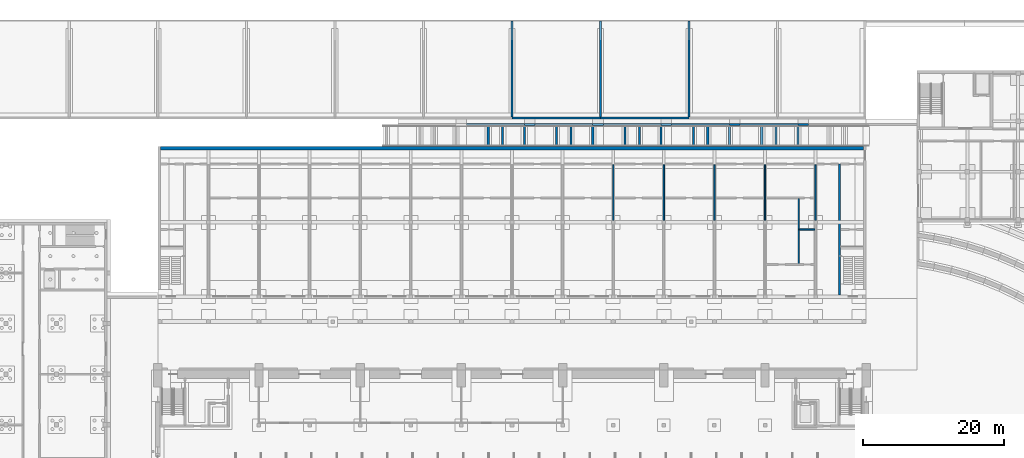
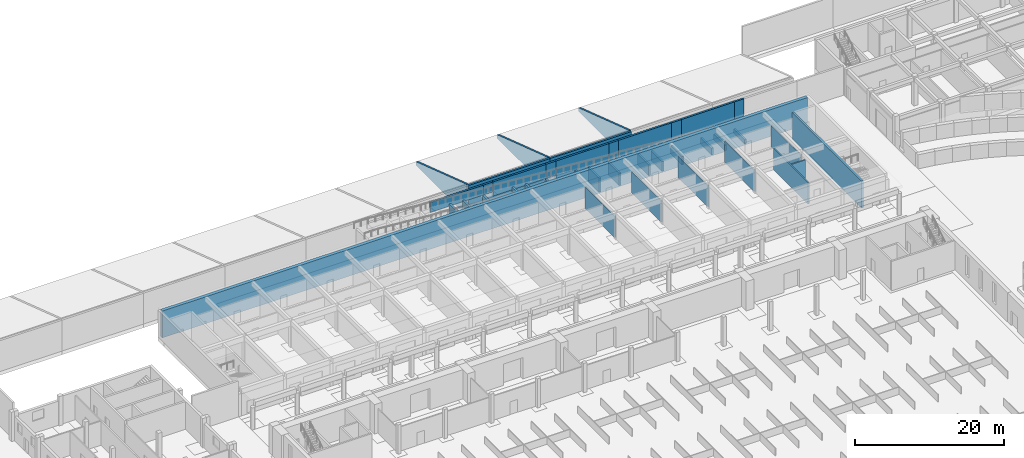
# One storey, part 56 of 73: 39 walls.
"""IFC4 building model written with IfcOpenShell, lengths in metres."""

from ifc_helpers import new_model, si_unit, direction, frame, frame_2d, origin, place, context, subcontext, project, spatial, polyline, rectangle, outline, extrude, material, layer, layer_set, type_object, element, save


model = new_model("IFC4")

# Units and contexts
model_context = context("Model", 3, precision=1e-05, world=origin(), true_north=direction((0.0, 1.0)))
body_context = subcontext(model_context, "Body", "Model", "MODEL_VIEW")
ifc_project = project(units=[si_unit("LENGTHUNIT", "METRE"), si_unit("AREAUNIT", "SQUARE_METRE"), si_unit("VOLUMEUNIT", "CUBIC_METRE"), si_unit("PLANEANGLEUNIT", "RADIAN"), si_unit("MASSUNIT", "GRAM", prefix="KILO")], contexts=[model_context])

# Site, building, storey
site_placement = place(None, origin())
site = spatial("IfcSite", under=ifc_project, at=site_placement, CompositionType="ELEMENT")
building_placement = place(site_placement, origin())
building = spatial("IfcBuilding", under=site, at=building_placement, Name="Alderwick Market Hall", CompositionType="ELEMENT")
storey_placement = place(building_placement, origin())
storey = spatial("IfcBuildingStorey", under=building, at=storey_placement, Name="LG", CompositionType="ELEMENT", Elevation=0.0)

# Walls
ifc_material_1 = material(Name="Concrete masonry 3000 psi", Category="masonry")
ifc_layer_1 = layer(ifc_material_1, 0.199951171875)
ifc_layer_set_1 = layer_set([ifc_layer_1], Name="Concrete masonry 3000 psi")
wall_type_1 = type_object("IfcWallType", Name="A Masonry Partition 200", PredefinedType="PARTITIONING", material=ifc_layer_set_1)
wall_1_placement = place(storey_placement, frame((141.699951171875, 128.60009765625, 0.0), z_axis=(0.0, 0.0, 1.0), x_axis=(1.0, 0.0, 0.0)))
element("IfcWall", 1, at=wall_1_placement, inside=storey, type_object=wall_type_1, Name="A.N.wall.016", PredefinedType="PARTITIONING", context=body_context, shape_type="SweptSolid", body=[
    extrude(rectangle(XDim=2.199951171875, YDim=0.199951171875, at=frame_2d((1.10009765625, 0.0))), origin(), (0.0, 0.0, 1.0), 3.5),
])
for number, where, z_axis, x_axis, name in (
    (2, (115.199951171875, 129.85009765625, 0.0), (0.0, 0.0, 1.0), (0.0, 1.0, 0.0), "A.N.wall.042"),
    (3, (122.39990234375, 129.85009765625, 0.0), (0.0, 0.0, 1.0), (0.0, 1.0, 0.0), "A.N.wall.044"),
    (4, (129.60009765625, 129.85009765625, 0.0), (0.0, 0.0, 1.0), (0.0, 1.0, 0.0), "A.N.wall.046"),
    (5, (136.800048828125, 129.85009765625, 0.0), (0.0, 0.0, 1.0), (0.0, 1.0, 0.0), "A.N.wall.048"),
):
    element("IfcWall", number, at=place(storey_placement, frame(where, z_axis=z_axis, x_axis=x_axis)), inside=storey, type_object=wall_type_1, Name=name, PredefinedType="PARTITIONING", context=body_context, shape_type="SweptSolid", body=[
        extrude(rectangle(XDim=7.949951171875, YDim=0.199951171875, at=frame_2d((3.97509765625, 0.0))), origin(), (0.0, 0.0, 1.0), 3.5),
    ])
wall_2_placement = place(storey_placement, frame((141.60009765625, 123.699951171875, 0.0), z_axis=(0.0, 0.0, 1.0), x_axis=(0.0, 1.0, 0.0)))
element("IfcWall", 6, at=wall_2_placement, inside=storey, type_object=wall_type_1, Name="A.N.wall.049", PredefinedType="PARTITIONING", context=body_context, shape_type="SweptSolid", body=[
    extrude(rectangle(XDim=9.300048828125, YDim=0.199951171875, at=frame_2d((4.64990234375, 0.0))), origin(), (0.0, 0.0, 1.0), 3.5),
])
wall_3_placement = place(storey_placement, frame((144.0, 129.85009765625, 0.0), z_axis=(0.0, 0.0, 1.0), x_axis=(0.0, 1.0, 0.0)))
element("IfcWall", 7, at=wall_3_placement, inside=storey, type_object=wall_type_1, Name="A.N.wall.051", PredefinedType="PARTITIONING", context=body_context, shape_type="SweptSolid", body=[
    extrude(rectangle(XDim=7.949951171875, YDim=0.199951171875, at=frame_2d((3.97509765625, 0.0))), origin(), (0.0, 0.0, 1.0), 3.5),
])
ifc_material_2 = material(Name="Concrete 5000 psi (f'c 35 MPa)", Category="concrete")
ifc_layer_2 = layer(ifc_material_2, 0.5)
ifc_layer_set_2 = layer_set([ifc_layer_2], Name="Concrete 5000 psi (f'c 35 MPa)")
wall_type_2 = type_object("IfcWallType", Name="A RC Retaining Wall 500", PredefinedType="SOLIDWALL", material=ifc_layer_set_2)
wall_4_placement = place(storey_placement, frame((50.800048828125, 140.14990234375, 0.0), z_axis=(0.0, 0.0, 1.0), x_axis=(1.0, 0.0, 0.0)))
element("IfcWall", 8, at=wall_4_placement, inside=storey, type_object=wall_type_2, Name="A.N.wall.022", PredefinedType="SOLIDWALL", context=body_context, shape_type="SweptSolid", body=[
    extrude(rectangle(XDim=100.0, YDim=0.5, at=frame_2d((50.0, 0.0))), origin(), (0.0, 0.0, 1.0), 4.39990234375),
])
ifc_layer_3 = layer(ifc_material_2, 0.300048828125)
ifc_layer_set_3 = layer_set([ifc_layer_3], Name="Concrete 5000 psi (f'c 35 MPa)")
wall_type_3 = type_object("IfcWallType", Name="A RC Stair Core Wall 300", PredefinedType="SHEAR", material=ifc_layer_set_3)
wall_5_placement = place(storey_placement, frame((147.39990234375, 119.300048828125, 0.0), z_axis=(0.0, 0.0, 1.0), x_axis=(0.0, 1.0, 0.0)))
element("IfcWall", 9, at=wall_5_placement, inside=storey, type_object=wall_type_3, Name="A.N.wall.052", PredefinedType="SHEAR", context=body_context, shape_type="SweptSolid", body=[
    extrude(rectangle(XDim=18.599853515625, YDim=0.300048828125, at=frame_2d((9.2998046875, 0.0))), origin(), (0.0, 0.0, 1.0), 4.39990234375),
])
ifc_layer_4 = layer(ifc_material_2, 0.300048828125)
ifc_layer_set_4 = layer_set([ifc_layer_4], Name="Concrete 5000 psi (f'c 35 MPa)")
wall_type_4 = type_object("IfcWallType", Name="S Retaining Wall 300", PredefinedType="SOLIDWALL", material=ifc_layer_set_4)
wall_6_placement = place(storey_placement, frame((142.970947265625, 143.550048828125, 0.435791015625), z_axis=(0.0, 0.0, 1.0), x_axis=(-1.0, 0.0, 0.0)))
element("IfcWall", 10, at=wall_6_placement, inside=storey, type_object=wall_type_4, Name="Trench wall N.03", PredefinedType="SOLIDWALL", context=body_context, shape_type="SweptSolid", body=[
    extrude(rectangle(XDim=1.5, YDim=0.300048828125, at=frame_2d((0.75, 0.0))), origin(), (0.0, 0.0, 1.0), 4.3642578125),
])
wall_7_placement = place(storey_placement, frame((141.470947265625, 143.550048828125, 0.435791015625), z_axis=(0.0, 0.0, 1.0), x_axis=(-1.0, 0.0, 0.0)))
element("IfcWall", 11, at=wall_7_placement, inside=storey, type_object=wall_type_4, Name="Trench wall N.04", PredefinedType="SOLIDWALL", context=body_context, shape_type="SweptSolid", body=[
    extrude(rectangle(XDim=8.22802734375, YDim=0.300048828125, at=frame_2d((4.114013671875, 0.0))), origin(), (0.0, 0.0, 1.0), 4.3642578125),
])
wall_8_placement = place(storey_placement, frame((133.242919921875, 143.550048828125, 1.121337890625), z_axis=(0.0, 0.0, 1.0), x_axis=(-1.0, 0.0, 0.0)))
element("IfcWall", 12, at=wall_8_placement, inside=storey, type_object=wall_type_4, Name="Trench wall N.05", PredefinedType="SOLIDWALL", context=body_context, shape_type="SweptSolid", body=[
    extrude(rectangle(XDim=1.5, YDim=0.300048828125, at=frame_2d((0.75, 0.0))), origin(), (0.0, 0.0, 1.0), 3.6787109375),
])
wall_9_placement = place(storey_placement, frame((131.742919921875, 143.550048828125, 1.121337890625), z_axis=(0.0, 0.0, 1.0), x_axis=(-1.0, 0.0, 0.0)))
element("IfcWall", 13, at=wall_9_placement, inside=storey, type_object=wall_type_4, Name="Trench wall N.06", PredefinedType="SOLIDWALL", context=body_context, shape_type="SweptSolid", body=[
    extrude(rectangle(XDim=8.22900390625, YDim=0.300048828125, at=frame_2d((4.114501953125, 0.0))), origin(), (0.0, 0.0, 1.0), 3.6787109375),
])
wall_10_placement = place(storey_placement, frame((123.513916015625, 143.550048828125, 1.80712890625), z_axis=(0.0, 0.0, 1.0), x_axis=(-1.0, 0.0, 0.0)))
element("IfcWall", 14, at=wall_10_placement, inside=storey, type_object=wall_type_4, Name="Trench wall N.07", PredefinedType="SOLIDWALL", context=body_context, shape_type="SweptSolid", body=[
    extrude(rectangle(XDim=1.5, YDim=0.300048828125, at=frame_2d((0.75, 0.0))), origin(), (0.0, 0.0, 1.0), 2.992919921875),
])
wall_11_placement = place(storey_placement, frame((122.013916015625, 143.550048828125, 1.80712890625), z_axis=(0.0, 0.0, 1.0), x_axis=(-1.0, 0.0, 0.0)))
element("IfcWall", 15, at=wall_11_placement, inside=storey, type_object=wall_type_4, Name="Trench wall N.08", PredefinedType="SOLIDWALL", context=body_context, shape_type="SweptSolid", body=[
    extrude(rectangle(XDim=8.22802734375, YDim=0.300048828125, at=frame_2d((4.114013671875, 0.0))), origin(), (0.0, 0.0, 1.0), 2.992919921875),
])
wall_12_placement = place(storey_placement, frame((113.785888671875, 143.550048828125, 2.492919921875), z_axis=(0.0, 0.0, 1.0), x_axis=(-1.0, 0.0, 0.0)))
element("IfcWall", 16, at=wall_12_placement, inside=storey, type_object=wall_type_4, Name="Trench wall N.09", PredefinedType="SOLIDWALL", context=body_context, shape_type="SweptSolid", body=[
    extrude(rectangle(XDim=1.5, YDim=0.300048828125, at=frame_2d((0.75, 0.0))), origin(), (0.0, 0.0, 1.0), 2.30712890625),
])
wall_13_placement = place(storey_placement, frame((112.285888671875, 143.550048828125, 2.492919921875), z_axis=(0.0, 0.0, 1.0), x_axis=(-1.0, 0.0, 0.0)))
element("IfcWall", 17, at=wall_13_placement, inside=storey, type_object=wall_type_4, Name="Trench wall N.10", PredefinedType="SOLIDWALL", context=body_context, shape_type="SweptSolid", body=[
    extrude(rectangle(XDim=8.22900390625, YDim=0.300048828125, at=frame_2d((4.114501953125, 0.0))), origin(), (0.0, 0.0, 1.0), 2.30712890625),
])
wall_14_placement = place(storey_placement, frame((104.056884765625, 143.550048828125, 3.1787109375), z_axis=(0.0, 0.0, 1.0), x_axis=(-1.0, 0.0, 0.0)))
element("IfcWall", 18, at=wall_14_placement, inside=storey, type_object=wall_type_4, Name="Trench wall N.11", PredefinedType="SOLIDWALL", context=body_context, shape_type="SweptSolid", body=[
    extrude(rectangle(XDim=1.5, YDim=0.300048828125, at=frame_2d((0.75, 0.0))), origin(), (0.0, 0.0, 1.0), 1.621337890625),
])
wall_15_placement = place(storey_placement, frame((102.556884765625, 143.550048828125, 3.1787109375), z_axis=(0.0, 0.0, 1.0), x_axis=(-1.0, 0.0, 0.0)))
element("IfcWall", 19, at=wall_15_placement, inside=storey, type_object=wall_type_4, Name="Trench wall N.12", PredefinedType="SOLIDWALL", context=body_context, shape_type="SweptSolid", body=[
    extrude(rectangle(XDim=8.227783203125, YDim=0.300048828125, at=frame_2d((4.11376953125, 0.0))), origin(), (0.0, 0.0, 1.0), 1.621337890625),
])
wall_16_placement = place(storey_placement, frame((141.470947265625, 140.39990234375, -0.25), z_axis=(0.0, 0.0, 1.0), x_axis=(0.0, 1.0, 0.0)))
element("IfcWall", 20, at=wall_16_placement, inside=storey, type_object=wall_type_4, Name="Ramp support wall N1c", PredefinedType="SOLIDWALL", context=body_context, shape_type="SweptSolid", body=[
    extrude(rectangle(XDim=3.0, YDim=0.300048828125, at=frame_2d((1.5, 0.0))), origin(), (0.0, 0.0, 1.0), 0.685791015625),
])
wall_17_placement = place(storey_placement, frame((138.385498046875, 140.39990234375, -0.25), z_axis=(0.0, 0.0, 1.0), x_axis=(0.0, 1.0, 0.0)))
element("IfcWall", 21, at=wall_17_placement, inside=storey, type_object=wall_type_4, Name="Ramp support wall N2b", PredefinedType="SOLIDWALL", context=body_context, shape_type="SweptSolid", body=[
    extrude(rectangle(XDim=3.0, YDim=0.300048828125, at=frame_2d((1.5, 0.0))), origin(), (0.0, 0.0, 1.0), 0.930419921875),
])
wall_18_placement = place(storey_placement, frame((136.32861328125, 140.39990234375, -0.25), z_axis=(0.0, 0.0, 1.0), x_axis=(0.0, 1.0, 0.0)))
element("IfcWall", 22, at=wall_18_placement, inside=storey, type_object=wall_type_4, Name="Ramp support wall N2d", PredefinedType="SOLIDWALL", context=body_context, shape_type="SweptSolid", body=[
    extrude(rectangle(XDim=3.0, YDim=0.300048828125, at=frame_2d((1.5, 0.0))), origin(), (0.0, 0.0, 1.0), 1.101806640625),
])
wall_19_placement = place(storey_placement, frame((131.742919921875, 140.39990234375, -0.25), z_axis=(0.0, 0.0, 1.0), x_axis=(0.0, 1.0, 0.0)))
element("IfcWall", 23, at=wall_19_placement, inside=storey, type_object=wall_type_4, Name="Ramp support wall N2c", PredefinedType="SOLIDWALL", context=body_context, shape_type="SweptSolid", body=[
    extrude(rectangle(XDim=3.0, YDim=0.300048828125, at=frame_2d((1.5, 0.0))), origin(), (0.0, 0.0, 1.0), 1.371337890625),
])
wall_20_placement = place(storey_placement, frame((128.656982421875, 140.39990234375, -0.25), z_axis=(0.0, 0.0, 1.0), x_axis=(0.0, 1.0, 0.0)))
element("IfcWall", 24, at=wall_20_placement, inside=storey, type_object=wall_type_4, Name="Ramp support wall N3b", PredefinedType="SOLIDWALL", context=body_context, shape_type="SweptSolid", body=[
    extrude(rectangle(XDim=3.0, YDim=0.300048828125, at=frame_2d((1.5, 0.0))), origin(), (0.0, 0.0, 1.0), 1.6162109375),
])
wall_21_placement = place(storey_placement, frame((126.599853515625, 140.39990234375, -0.25), z_axis=(0.0, 0.0, 1.0), x_axis=(0.0, 1.0, 0.0)))
element("IfcWall", 25, at=wall_21_placement, inside=storey, type_object=wall_type_4, Name="Ramp support wall N3d", PredefinedType="SOLIDWALL", context=body_context, shape_type="SweptSolid", body=[
    extrude(rectangle(XDim=3.0, YDim=0.300048828125, at=frame_2d((1.5, 0.0))), origin(), (0.0, 0.0, 1.0), 1.78759765625),
])
wall_22_placement = place(storey_placement, frame((122.013916015625, 140.39990234375, -0.25), z_axis=(0.0, 0.0, 1.0), x_axis=(0.0, 1.0, 0.0)))
element("IfcWall", 26, at=wall_22_placement, inside=storey, type_object=wall_type_4, Name="Ramp support wall N3c", PredefinedType="SOLIDWALL", context=body_context, shape_type="SweptSolid", body=[
    extrude(rectangle(XDim=3.0, YDim=0.300048828125, at=frame_2d((1.5, 0.0))), origin(), (0.0, 0.0, 1.0), 2.05712890625),
])
wall_23_placement = place(storey_placement, frame((118.928466796875, 140.39990234375, -0.25), z_axis=(0.0, 0.0, 1.0), x_axis=(0.0, 1.0, 0.0)))
element("IfcWall", 27, at=wall_23_placement, inside=storey, type_object=wall_type_4, Name="Ramp support wall N4b", PredefinedType="SOLIDWALL", context=body_context, shape_type="SweptSolid", body=[
    extrude(rectangle(XDim=3.0, YDim=0.300048828125, at=frame_2d((1.5, 0.0))), origin(), (0.0, 0.0, 1.0), 2.3017578125),
])
wall_24_placement = place(storey_placement, frame((116.87158203125, 140.39990234375, -0.25), z_axis=(0.0, 0.0, 1.0), x_axis=(0.0, 1.0, 0.0)))
element("IfcWall", 28, at=wall_24_placement, inside=storey, type_object=wall_type_4, Name="Ramp support wall N4d", PredefinedType="SOLIDWALL", context=body_context, shape_type="SweptSolid", body=[
    extrude(rectangle(XDim=3.0, YDim=0.300048828125, at=frame_2d((1.5, 0.0))), origin(), (0.0, 0.0, 1.0), 2.47314453125),
])
wall_25_placement = place(storey_placement, frame((112.285888671875, 140.39990234375, -0.25), z_axis=(0.0, 0.0, 1.0), x_axis=(0.0, 1.0, 0.0)))
element("IfcWall", 29, at=wall_25_placement, inside=storey, type_object=wall_type_4, Name="Ramp support wall N4c", PredefinedType="SOLIDWALL", context=body_context, shape_type="SweptSolid", body=[
    extrude(rectangle(XDim=3.0, YDim=0.300048828125, at=frame_2d((1.5, 0.0))), origin(), (0.0, 0.0, 1.0), 2.742919921875),
])
wall_26_placement = place(storey_placement, frame((109.2001953125, 140.39990234375, -0.25), z_axis=(0.0, 0.0, 1.0), x_axis=(0.0, 1.0, 0.0)))
element("IfcWall", 30, at=wall_26_placement, inside=storey, type_object=wall_type_4, Name="Ramp support wall N5b", PredefinedType="SOLIDWALL", context=body_context, shape_type="SweptSolid", body=[
    extrude(rectangle(XDim=3.0, YDim=0.300048828125, at=frame_2d((1.5, 0.0))), origin(), (0.0, 0.0, 1.0), 2.987548828125),
])
wall_27_placement = place(storey_placement, frame((107.142822265625, 140.39990234375, -0.25), z_axis=(0.0, 0.0, 1.0), x_axis=(0.0, 1.0, 0.0)))
element("IfcWall", 31, at=wall_27_placement, inside=storey, type_object=wall_type_4, Name="Ramp support wall N5d", PredefinedType="SOLIDWALL", context=body_context, shape_type="SweptSolid", body=[
    extrude(rectangle(XDim=3.0, YDim=0.300048828125, at=frame_2d((1.5, 0.0))), origin(), (0.0, 0.0, 1.0), 3.158935546875),
])
wall_28_placement = place(storey_placement, frame((102.556884765625, 140.39990234375, -0.25), z_axis=(0.0, 0.0, 1.0), x_axis=(0.0, 1.0, 0.0)))
element("IfcWall", 32, at=wall_28_placement, inside=storey, type_object=wall_type_4, Name="Ramp support wall N5c", PredefinedType="SOLIDWALL", context=body_context, shape_type="SweptSolid", body=[
    extrude(rectangle(XDim=3.0, YDim=0.300048828125, at=frame_2d((1.5, 0.0))), origin(), (0.0, 0.0, 1.0), 3.4287109375),
])
wall_29_placement = place(storey_placement, frame((99.471435546875, 140.39990234375, -0.25), z_axis=(0.0, 0.0, 1.0), x_axis=(0.0, 1.0, 0.0)))
element("IfcWall", 33, at=wall_29_placement, inside=storey, type_object=wall_type_4, Name="Ramp support wall N6b", PredefinedType="SOLIDWALL", context=body_context, shape_type="SweptSolid", body=[
    extrude(rectangle(XDim=3.0, YDim=0.300048828125, at=frame_2d((1.5, 0.0))), origin(), (0.0, 0.0, 1.0), 3.673095703125),
])
wall_30_placement = place(storey_placement, frame((97.41455078125, 140.39990234375, -0.25), z_axis=(0.0, 0.0, 1.0), x_axis=(0.0, 1.0, 0.0)))
element("IfcWall", 34, at=wall_30_placement, inside=storey, type_object=wall_type_4, Name="Ramp support wall N6d", PredefinedType="SOLIDWALL", context=body_context, shape_type="SweptSolid", body=[
    extrude(rectangle(XDim=3.0, YDim=0.300048828125, at=frame_2d((1.5, 0.0))), origin(), (0.0, 0.0, 1.0), 3.844482421875),
])
wall_31_placement = place(storey_placement, frame((100.800048828125, 144.449951171875, -0.25), z_axis=(0.0, 0.0, 1.0), x_axis=(1.0, 0.0, 0.0)))
element("IfcWall", 35, at=wall_31_placement, inside=storey, type_object=wall_type_4, Name="Berm crest wall N09", PredefinedType="SOLIDWALL", context=body_context, shape_type="SweptSolid", body=[
    extrude(rectangle(XDim=12.599853515625, YDim=0.300048828125, at=frame_2d((6.2998046875, 0.0))), origin(), (0.0, 0.0, 1.0), 5.050048828125),
])
wall_32_placement = place(storey_placement, frame((113.39990234375, 144.449951171875, -0.25), z_axis=(0.0, 0.0, 1.0), x_axis=(1.0, 0.0, 0.0)))
element("IfcWall", 36, at=wall_32_placement, inside=storey, type_object=wall_type_4, Name="Berm crest wall N10", PredefinedType="SOLIDWALL", context=body_context, shape_type="SweptSolid", body=[
    extrude(rectangle(XDim=12.60009765625, YDim=0.300048828125, at=frame_2d((6.300048828125, 0.0))), origin(), (0.0, 0.0, 1.0), 5.050048828125),
])
for number, where, z_axis, x_axis, name in (
    (37, (100.800048828125, 144.60009765625, -0.25), (0.0, 0.0, 1.0), (0.0, 1.0, 0.0), "Berm cross wall N09"),
    (38, (113.39990234375, 144.60009765625, -0.25), (0.0, 0.0, 1.0), (0.0, 1.0, 0.0), "Berm cross wall N10"),
    (39, (126.0, 144.60009765625, -0.25), (0.0, 0.0, 1.0), (0.0, 1.0, 0.0), "Berm cross wall N11"),
):
    element("IfcWall", number, at=place(storey_placement, frame(where, z_axis=z_axis, x_axis=x_axis)), inside=storey, type_object=wall_type_4, Name=name, PredefinedType="SOLIDWALL", context=body_context, shape_type="SweptSolid", body=[
        extrude(outline(polyline([(0.0, 0.0), (13.632080078125, 0.0), (13.632080078125, 0.569091796875), (0.189697265625, 5.050048828125), (0.0, 5.050048828125), (0.0, 0.0)])), frame((0.0, 0.14990234375, 0.0), z_axis=(0.0, -1.0, 0.0), x_axis=(1.0, 0.0, 0.0)), (0.0, 0.0, 1.0), 0.300048828125),
    ])

save(model, "model.ifc")
